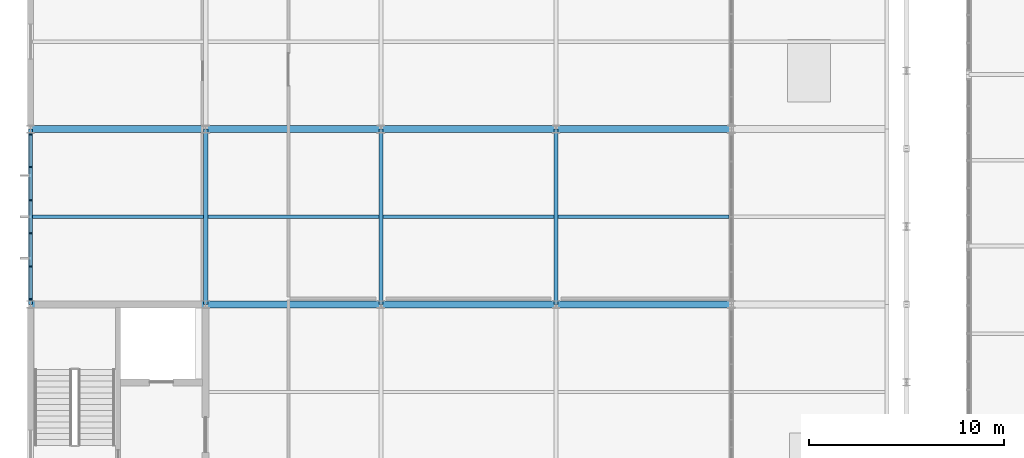
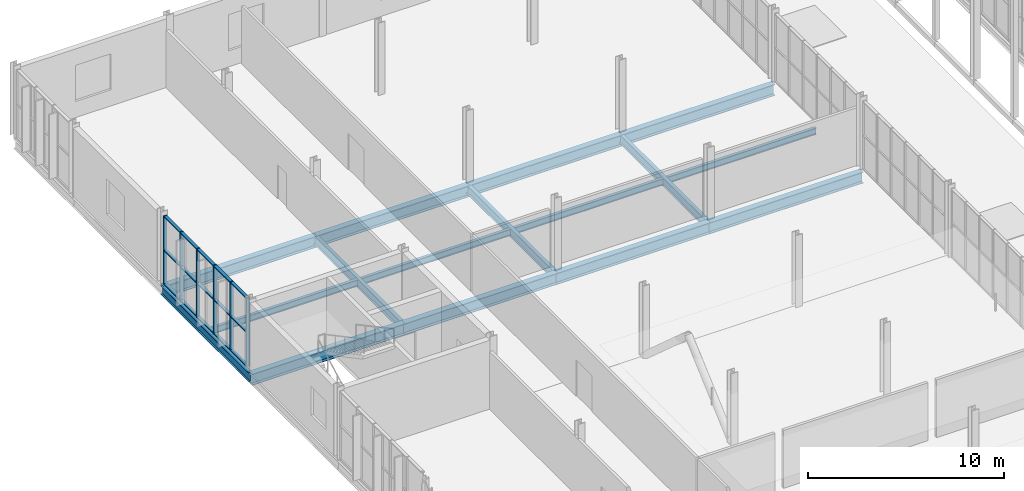
# One storey, part 51 of 134: 21 members, 16 beams, 1 element without a shape of its own.
"""IFC4 building model written with IfcOpenShell, lengths in metres."""

from ifc_helpers import new_model, si_unit, direction, frame, origin, origin_2d, place, context, subcontext, project, spatial, rectangle, i_section, extrude, material, layer, layer_set, material_profile, profile_set, type_object, element, aggregate, save


model = new_model("IFC4")

# Units and contexts
model_context = context("Model", 3, precision=1e-05, world=origin(), true_north=direction((0.0, 1.0)))
body_context = subcontext(model_context, "Body", "Model", "MODEL_VIEW")
ifc_project = project(units=[si_unit("LENGTHUNIT", "METRE"), si_unit("AREAUNIT", "SQUARE_METRE"), si_unit("VOLUMEUNIT", "CUBIC_METRE"), si_unit("PLANEANGLEUNIT", "RADIAN"), si_unit("MASSUNIT", "GRAM", prefix="KILO")], contexts=[model_context])

# Site, building, storey
site_placement = place(None, origin())
site = spatial("IfcSite", under=ifc_project, at=site_placement, CompositionType="ELEMENT")
building_placement = place(site_placement, origin())
building = spatial("IfcBuilding", under=site, at=building_placement, Name="Cazmaro Siding Exhibition Halls", CompositionType="ELEMENT")
storey_placement = place(building_placement, frame((0.0, 0.0, 12.0)))
storey = spatial("IfcBuildingStorey", under=building, at=storey_placement, Name="L02", CompositionType="ELEMENT", Elevation=12.0)

# Beams
ifc_material_1 = material(Name="Steel ASTM A992 Grade 50", Category="steel")
ifc_material_profile_1 = material_profile(ifc_material_1, i_section(OverallWidth=0.214111328125, OverallDepth=0.549072265625, WebThickness=0.014892578125, FlangeThickness=0.02392578125, at=origin_2d()), Name="W21X93")
ifc_profile_set_1 = profile_set([ifc_material_profile_1], Name="Steel ASTM A992 Grade 50")
beam_type_1 = type_object("IfcBeamType", Name="B-01", PredefinedType="BEAM", material=ifc_profile_set_1)
for number, where, z_axis, x_axis, name in (
    (1, (0.0, 100.0, -0.4951171875), (0.0, 1.0, 0.0), (-1.0, 0.0, 0.0), "Beam B-01 BM-2121"),
    (2, (9.0, 100.0, -0.4951171875), (0.0, 1.0, 0.0), (-1.0, 0.0, 0.0), "Beam B-01 BM-2129"),
    (3, (18.0, 100.0, -0.4951171875), (0.0, 1.0, 0.0), (-1.0, 0.0, 0.0), "Beam B-01 BM-2137"),
    (4, (27.0, 100.0, -0.4951171875), (0.0, 1.0, 0.0), (-1.0, 0.0, 0.0), "Beam B-01 BM-2145"),
):
    element("IfcBeam", number, at=place(storey_placement, frame(where, z_axis=z_axis, x_axis=x_axis)), inside=storey, type_object=beam_type_1, Name=name, PredefinedType="BEAM", context=body_context, shape_type="SweptSolid", body=[
        extrude(i_section(OverallWidth=0.214111328125, OverallDepth=0.549072265625, WebThickness=0.014892578125, FlangeThickness=0.02392578125, at=origin_2d()), origin(), (0.0, 0.0, 1.0), 9.0),
    ])

# Curtain wall, members
ifc_material_2 = material(Name="Anodized Bronze Aluminum and Solar-Control Low-E Glazing", Category="aluminium")
ifc_layer = layer(ifc_material_2, 0.199951171875)
ifc_layer_set = layer_set([ifc_layer], Name="Anodized Bronze Aluminum and Solar-Control Low-E Glazing")
curtain_wall_type = type_object("IfcCurtainWallType", Name="CWS-02", PredefinedType="USERDEFINED", material=ifc_layer_set)
curtain_wall_placement = place(storey_placement, origin())
curtain_wall = element("IfcCurtainWall", 5, at=curtain_wall_placement, inside=storey, type_object=curtain_wall_type, Name="Glazed Curtain Wall CWS-02 CW-242", ObjectType="GLAZED CURTAIN WALL", PredefinedType="USERDEFINED")
ifc_material_3 = material(Name="Anodized Bronze Extruded Aluminum", Category="aluminium")
ifc_material_profile_2 = material_profile(ifc_material_3, rectangle(XDim=0.199951171875, YDim=0.06494140625, at=origin_2d()), Name="CWM-02")
ifc_profile_set_2 = profile_set([ifc_material_profile_2], Name="Anodized Bronze Extruded Aluminum")
member_type_1 = type_object("IfcMemberType", Name="CWM-02", PredefinedType="MULLION", material=ifc_profile_set_2)
member_1_placement = place(storey_placement, frame((0.0, 108.722412109375, 0.0), z_axis=(0.0, 0.0, 1.0), x_axis=(1.0, 0.0, 0.0)))
member_1 = element("IfcMember", 6, at=member_1_placement, type_object=member_type_1, Name="CWS-02 mullion 1", PredefinedType="MULLION", context=body_context, shape_type="SweptSolid", body=[
    extrude(rectangle(XDim=0.199951171875, YDim=0.06494140625, at=origin_2d()), origin(), (0.0, 0.0, 1.0), 4.280029296875),
])
member_2_placement = place(storey_placement, frame((0.0, 107.052978515625, 0.0), z_axis=(0.0, 0.0, 1.0), x_axis=(1.0, 0.0, 0.0)))
member_2 = element("IfcMember", 7, at=member_2_placement, type_object=member_type_1, Name="CWS-02 mullion 2", PredefinedType="MULLION", context=body_context, shape_type="SweptSolid", body=[
    extrude(rectangle(XDim=0.199951171875, YDim=0.06494140625, at=origin_2d()), origin(), (0.0, 0.0, 1.0), 4.280029296875),
])
member_3_placement = place(storey_placement, frame((0.0, 105.35107421875, 0.0), z_axis=(0.0, 0.0, 1.0), x_axis=(1.0, 0.0, 0.0)))
member_3 = element("IfcMember", 8, at=member_3_placement, type_object=member_type_1, Name="CWS-02 mullion 3", PredefinedType="MULLION", context=body_context, shape_type="SweptSolid", body=[
    extrude(rectangle(XDim=0.199951171875, YDim=0.06494140625, at=origin_2d()), origin(), (0.0, 0.0, 1.0), 4.280029296875),
])
member_4_placement = place(storey_placement, frame((0.0, 103.64892578125, 0.0), z_axis=(0.0, 0.0, 1.0), x_axis=(1.0, 0.0, 0.0)))
member_4 = element("IfcMember", 9, at=member_4_placement, type_object=member_type_1, Name="CWS-02 mullion 4", PredefinedType="MULLION", context=body_context, shape_type="SweptSolid", body=[
    extrude(rectangle(XDim=0.199951171875, YDim=0.06494140625, at=origin_2d()), origin(), (0.0, 0.0, 1.0), 4.280029296875),
])
member_5_placement = place(storey_placement, frame((0.0, 101.947021484375, 0.0), z_axis=(0.0, 0.0, 1.0), x_axis=(1.0, 0.0, 0.0)))
member_5 = element("IfcMember", 10, at=member_5_placement, type_object=member_type_1, Name="CWS-02 mullion 5", PredefinedType="MULLION", context=body_context, shape_type="SweptSolid", body=[
    extrude(rectangle(XDim=0.199951171875, YDim=0.06494140625, at=origin_2d()), origin(), (0.0, 0.0, 1.0), 4.280029296875),
])
member_6_placement = place(storey_placement, frame((0.0, 100.277587890625, 0.0), z_axis=(0.0, 0.0, 1.0), x_axis=(1.0, 0.0, 0.0)))
member_6 = element("IfcMember", 11, at=member_6_placement, type_object=member_type_1, Name="CWS-02 mullion 6", PredefinedType="MULLION", context=body_context, shape_type="SweptSolid", body=[
    extrude(rectangle(XDim=0.199951171875, YDim=0.06494140625, at=origin_2d()), origin(), (0.0, 0.0, 1.0), 4.280029296875),
])
ifc_material_4 = material(Name="Anodized Bronze Extruded Aluminum", Category="aluminium")
ifc_material_profile_3 = material_profile(ifc_material_4, rectangle(XDim=0.179931640625, YDim=0.06494140625, at=origin_2d()), Name="CWT-02")
ifc_profile_set_3 = profile_set([ifc_material_profile_3], Name="Anodized Bronze Extruded Aluminum")
member_type_2 = type_object("IfcMemberType", Name="CWT-02", PredefinedType="MULLION", material=ifc_profile_set_3)
member_7_placement = place(storey_placement, frame((0.0, 108.68994140625, 0.032470703125), z_axis=(0.0, -1.0, 0.0), x_axis=(1.0, 0.0, 0.0)))
member_7 = element("IfcMember", 12, at=member_7_placement, type_object=member_type_2, Name="CWS-02 transom 1.1", ObjectType="TRANSOM", PredefinedType="USERDEFINED", context=body_context, shape_type="SweptSolid", body=[
    extrude(rectangle(XDim=0.179931640625, YDim=0.06494140625, at=origin_2d()), origin(), (0.0, 0.0, 1.0), 1.6044921875),
])
member_8_placement = place(storey_placement, frame((0.0, 108.68994140625, 2.139892578125), z_axis=(0.0, -1.0, 0.0), x_axis=(1.0, 0.0, 0.0)))
member_8 = element("IfcMember", 13, at=member_8_placement, type_object=member_type_2, Name="CWS-02 transom 1.2", ObjectType="TRANSOM", PredefinedType="USERDEFINED", context=body_context, shape_type="SweptSolid", body=[
    extrude(rectangle(XDim=0.179931640625, YDim=0.06494140625, at=origin_2d()), origin(), (0.0, 0.0, 1.0), 1.6044921875),
])
member_9_placement = place(storey_placement, frame((0.0, 108.68994140625, 4.24755859375), z_axis=(0.0, -1.0, 0.0), x_axis=(1.0, 0.0, 0.0)))
member_9 = element("IfcMember", 14, at=member_9_placement, type_object=member_type_2, Name="CWS-02 transom 1.3", ObjectType="TRANSOM", PredefinedType="USERDEFINED", context=body_context, shape_type="SweptSolid", body=[
    extrude(rectangle(XDim=0.179931640625, YDim=0.06494140625, at=origin_2d()), origin(), (0.0, 0.0, 1.0), 1.6044921875),
])
member_10_placement = place(storey_placement, frame((0.0, 107.0205078125, 0.032470703125), z_axis=(0.0, -1.0, 0.0), x_axis=(1.0, 0.0, 0.0)))
member_10 = element("IfcMember", 15, at=member_10_placement, type_object=member_type_2, Name="CWS-02 transom 2.1", ObjectType="TRANSOM", PredefinedType="USERDEFINED", context=body_context, shape_type="SweptSolid", body=[
    extrude(rectangle(XDim=0.179931640625, YDim=0.06494140625, at=origin_2d()), origin(), (0.0, 0.0, 1.0), 1.636962890625),
])
member_11_placement = place(storey_placement, frame((0.0, 107.0205078125, 2.139892578125), z_axis=(0.0, -1.0, 0.0), x_axis=(1.0, 0.0, 0.0)))
member_11 = element("IfcMember", 16, at=member_11_placement, type_object=member_type_2, Name="CWS-02 transom 2.2", ObjectType="TRANSOM", PredefinedType="USERDEFINED", context=body_context, shape_type="SweptSolid", body=[
    extrude(rectangle(XDim=0.179931640625, YDim=0.06494140625, at=origin_2d()), origin(), (0.0, 0.0, 1.0), 1.636962890625),
])
member_12_placement = place(storey_placement, frame((0.0, 107.0205078125, 4.24755859375), z_axis=(0.0, -1.0, 0.0), x_axis=(1.0, 0.0, 0.0)))
member_12 = element("IfcMember", 17, at=member_12_placement, type_object=member_type_2, Name="CWS-02 transom 2.3", ObjectType="TRANSOM", PredefinedType="USERDEFINED", context=body_context, shape_type="SweptSolid", body=[
    extrude(rectangle(XDim=0.179931640625, YDim=0.06494140625, at=origin_2d()), origin(), (0.0, 0.0, 1.0), 1.636962890625),
])
member_13_placement = place(storey_placement, frame((0.0, 105.318603515625, 0.032470703125), z_axis=(0.0, -1.0, 0.0), x_axis=(1.0, 0.0, 0.0)))
member_13 = element("IfcMember", 18, at=member_13_placement, type_object=member_type_2, Name="CWS-02 transom 3.1", ObjectType="TRANSOM", PredefinedType="USERDEFINED", context=body_context, shape_type="SweptSolid", body=[
    extrude(rectangle(XDim=0.179931640625, YDim=0.06494140625, at=origin_2d()), origin(), (0.0, 0.0, 1.0), 1.63720703125),
])
member_14_placement = place(storey_placement, frame((0.0, 105.318603515625, 2.139892578125), z_axis=(0.0, -1.0, 0.0), x_axis=(1.0, 0.0, 0.0)))
member_14 = element("IfcMember", 19, at=member_14_placement, type_object=member_type_2, Name="CWS-02 transom 3.2", ObjectType="TRANSOM", PredefinedType="USERDEFINED", context=body_context, shape_type="SweptSolid", body=[
    extrude(rectangle(XDim=0.179931640625, YDim=0.06494140625, at=origin_2d()), origin(), (0.0, 0.0, 1.0), 1.63720703125),
])
member_15_placement = place(storey_placement, frame((0.0, 105.318603515625, 4.24755859375), z_axis=(0.0, -1.0, 0.0), x_axis=(1.0, 0.0, 0.0)))
member_15 = element("IfcMember", 20, at=member_15_placement, type_object=member_type_2, Name="CWS-02 transom 3.3", ObjectType="TRANSOM", PredefinedType="USERDEFINED", context=body_context, shape_type="SweptSolid", body=[
    extrude(rectangle(XDim=0.179931640625, YDim=0.06494140625, at=origin_2d()), origin(), (0.0, 0.0, 1.0), 1.63720703125),
])
member_16_placement = place(storey_placement, frame((0.0, 103.616455078125, 0.032470703125), z_axis=(0.0, -1.0, 0.0), x_axis=(1.0, 0.0, 0.0)))
member_16 = element("IfcMember", 21, at=member_16_placement, type_object=member_type_2, Name="CWS-02 transom 4.1", ObjectType="TRANSOM", PredefinedType="USERDEFINED", context=body_context, shape_type="SweptSolid", body=[
    extrude(rectangle(XDim=0.179931640625, YDim=0.06494140625, at=origin_2d()), origin(), (0.0, 0.0, 1.0), 1.636962890625),
])
member_17_placement = place(storey_placement, frame((0.0, 103.616455078125, 2.139892578125), z_axis=(0.0, -1.0, 0.0), x_axis=(1.0, 0.0, 0.0)))
member_17 = element("IfcMember", 22, at=member_17_placement, type_object=member_type_2, Name="CWS-02 transom 4.2", ObjectType="TRANSOM", PredefinedType="USERDEFINED", context=body_context, shape_type="SweptSolid", body=[
    extrude(rectangle(XDim=0.179931640625, YDim=0.06494140625, at=origin_2d()), origin(), (0.0, 0.0, 1.0), 1.636962890625),
])
member_18_placement = place(storey_placement, frame((0.0, 103.616455078125, 4.24755859375), z_axis=(0.0, -1.0, 0.0), x_axis=(1.0, 0.0, 0.0)))
member_18 = element("IfcMember", 23, at=member_18_placement, type_object=member_type_2, Name="CWS-02 transom 4.3", ObjectType="TRANSOM", PredefinedType="USERDEFINED", context=body_context, shape_type="SweptSolid", body=[
    extrude(rectangle(XDim=0.179931640625, YDim=0.06494140625, at=origin_2d()), origin(), (0.0, 0.0, 1.0), 1.636962890625),
])
member_19_placement = place(storey_placement, frame((0.0, 101.91455078125, 0.032470703125), z_axis=(0.0, -1.0, 0.0), x_axis=(1.0, 0.0, 0.0)))
member_19 = element("IfcMember", 24, at=member_19_placement, type_object=member_type_2, Name="CWS-02 transom 5.1", ObjectType="TRANSOM", PredefinedType="USERDEFINED", context=body_context, shape_type="SweptSolid", body=[
    extrude(rectangle(XDim=0.179931640625, YDim=0.06494140625, at=origin_2d()), origin(), (0.0, 0.0, 1.0), 1.6044921875),
])
member_20_placement = place(storey_placement, frame((0.0, 101.91455078125, 2.139892578125), z_axis=(0.0, -1.0, 0.0), x_axis=(1.0, 0.0, 0.0)))
member_20 = element("IfcMember", 25, at=member_20_placement, type_object=member_type_2, Name="CWS-02 transom 5.2", ObjectType="TRANSOM", PredefinedType="USERDEFINED", context=body_context, shape_type="SweptSolid", body=[
    extrude(rectangle(XDim=0.179931640625, YDim=0.06494140625, at=origin_2d()), origin(), (0.0, 0.0, 1.0), 1.6044921875),
])
member_21_placement = place(storey_placement, frame((0.0, 101.91455078125, 4.24755859375), z_axis=(0.0, -1.0, 0.0), x_axis=(1.0, 0.0, 0.0)))
member_21 = element("IfcMember", 26, at=member_21_placement, type_object=member_type_2, Name="CWS-02 transom 5.3", ObjectType="TRANSOM", PredefinedType="USERDEFINED", context=body_context, shape_type="SweptSolid", body=[
    extrude(rectangle(XDim=0.179931640625, YDim=0.06494140625, at=origin_2d()), origin(), (0.0, 0.0, 1.0), 1.6044921875),
])
aggregate(curtain_wall, [member_1, member_2, member_3, member_4, member_5, member_6, member_7, member_8, member_9, member_10, member_11, member_12, member_13, member_14, member_15, member_16, member_17, member_18, member_19, member_20, member_21])

# Beams
ifc_material_5 = material(Name="Steel ASTM A992 Grade 50", Category="steel")
ifc_material_profile_4 = material_profile(ifc_material_5, i_section(OverallWidth=0.35595703125, OverallDepth=0.696044921875, WebThickness=0.014892578125, FlangeThickness=0.02490234375, at=origin_2d()), Name="W27X146")
ifc_profile_set_4 = profile_set([ifc_material_profile_4], Name="Steel ASTM A992 Grade 50")
beam_type_2 = type_object("IfcBeamType", Name="G-05", PredefinedType="USERDEFINED", material=ifc_profile_set_4)
for number, where, z_axis, x_axis, name in (
    (27, (0.0, 100.0, -0.568115234375), (1.0, 0.0, 0.0), (0.0, 1.0, 0.0), "Beam G-05 BM-2055"),
    (28, (0.0, 109.0, -0.568115234375), (1.0, 0.0, 0.0), (0.0, 1.0, 0.0), "Beam G-05 BM-2056"),
    (29, (9.0, 100.0, -0.568115234375), (1.0, 0.0, 0.0), (0.0, 1.0, 0.0), "Beam G-05 BM-2070"),
    (30, (9.0, 109.0, -0.568115234375), (1.0, 0.0, 0.0), (0.0, 1.0, 0.0), "Beam G-05 BM-2071"),
    (31, (18.0, 100.0, -0.568115234375), (1.0, 0.0, 0.0), (0.0, 1.0, 0.0), "Beam G-05 BM-2087"),
    (32, (18.0, 109.0, -0.568115234375), (1.0, 0.0, 0.0), (0.0, 1.0, 0.0), "Beam G-05 BM-2088"),
    (33, (27.0, 100.0, -0.568115234375), (1.0, 0.0, 0.0), (0.0, 1.0, 0.0), "Beam G-05 BM-2104"),
    (34, (27.0, 109.0, -0.568115234375), (1.0, 0.0, 0.0), (0.0, 1.0, 0.0), "Beam G-05 BM-2105"),
):
    element("IfcBeam", number, at=place(storey_placement, frame(where, z_axis=z_axis, x_axis=x_axis)), inside=storey, type_object=beam_type_2, Name=name, ObjectType="GIRDER", PredefinedType="USERDEFINED", context=body_context, shape_type="SweptSolid", body=[
        extrude(i_section(OverallWidth=0.35595703125, OverallDepth=0.696044921875, WebThickness=0.014892578125, FlangeThickness=0.02490234375, at=origin_2d()), origin(), (0.0, 0.0, 1.0), 9.0),
    ])
ifc_material_6 = material(Name="Steel ASTM A992 Grade 50", Category="steel")
ifc_material_profile_5 = material_profile(ifc_material_6, i_section(OverallWidth=0.177978515625, OverallDepth=0.406005859375, WebThickness=0.008056640625, FlangeThickness=0.012939453125, at=origin_2d()), Name="W16X40")
ifc_profile_set_5 = profile_set([ifc_material_profile_5], Name="Steel ASTM A992 Grade 50")
beam_type_3 = type_object("IfcBeamType", Name="J-02", PredefinedType="JOIST", material=ifc_profile_set_5)
for number, where, z_axis, x_axis, name in (
    (35, (0.10693359375, 104.5, -0.423095703125), (1.0, 0.0, 0.0), (0.0, 1.0, 0.0), "Beam J-02 BM-2062"),
    (36, (9.10693359375, 104.5, -0.423095703125), (1.0, 0.0, 0.0), (0.0, 1.0, 0.0), "Beam J-02 BM-2079"),
    (37, (18.10693359375, 104.5, -0.423095703125), (1.0, 0.0, 0.0), (0.0, 1.0, 0.0), "Beam J-02 BM-2096"),
    (38, (27.10693359375, 104.5, -0.423095703125), (1.0, 0.0, 0.0), (0.0, 1.0, 0.0), "Beam J-02 BM-2113"),
):
    element("IfcBeam", number, at=place(storey_placement, frame(where, z_axis=z_axis, x_axis=x_axis)), inside=storey, type_object=beam_type_3, Name=name, PredefinedType="JOIST", context=body_context, shape_type="SweptSolid", body=[
        extrude(i_section(OverallWidth=0.177978515625, OverallDepth=0.406005859375, WebThickness=0.008056640625, FlangeThickness=0.012939453125, at=origin_2d()), origin(), (0.0, 0.0, 1.0), 8.7861328125),
    ])

save(model, "model.ifc")
